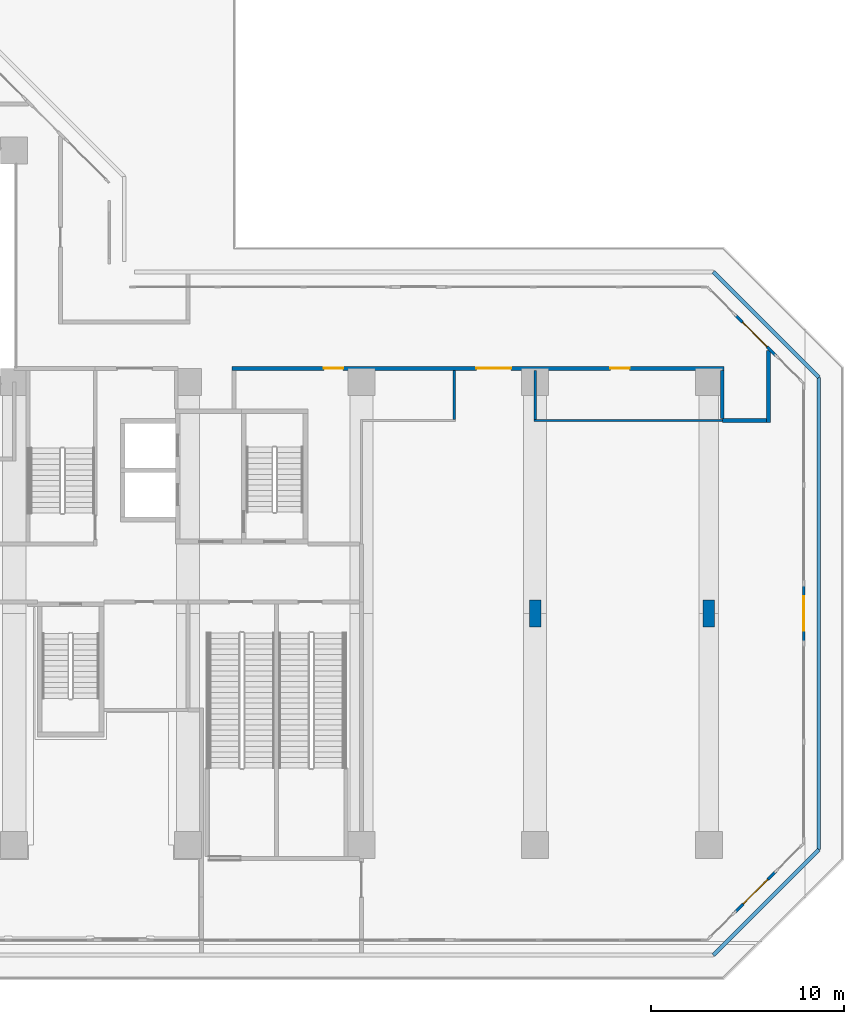
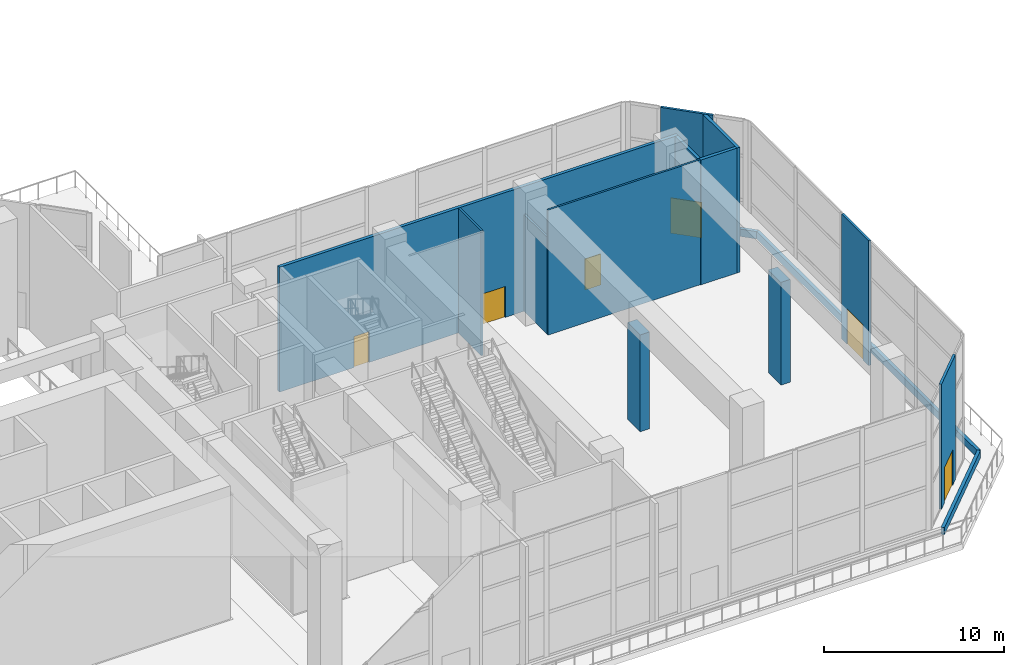
# One storey, part 17 of 28: 15 walls, 6 doors, 6 openings.
"""IFC4 building model written with IfcOpenShell, lengths in metres."""

from ifc_helpers import new_model, si_unit, direction, frame, frame_2d, origin, place, context, subcontext, project, spatial, rectangle, extrude, material, layer, layer_set, type_object, element, fill, save


model = new_model("IFC4")

# Units and contexts
model_context = context("Model", 3, precision=1e-05, world=origin(), true_north=direction((0.0, 1.0)))
body_context = subcontext(model_context, "Body", "Model", "MODEL_VIEW")
ifc_project = project(units=[si_unit("LENGTHUNIT", "METRE"), si_unit("AREAUNIT", "SQUARE_METRE"), si_unit("VOLUMEUNIT", "CUBIC_METRE"), si_unit("PLANEANGLEUNIT", "RADIAN"), si_unit("MASSUNIT", "GRAM", prefix="KILO")], contexts=[model_context])

# Site, building, storey
site_placement = place(None, origin())
site = spatial("IfcSite", under=ifc_project, at=site_placement, CompositionType="ELEMENT")
building_placement = place(site_placement, origin())
building = spatial("IfcBuilding", under=site, at=building_placement, Name="Chenar Terraces", CompositionType="ELEMENT")
storey_placement = place(building_placement, frame((0.0, 0.0, 26.39990234375)))
storey = spatial("IfcBuildingStorey", under=building, at=storey_placement, Name="L05", CompositionType="ELEMENT", Elevation=26.39990234375)

# Walls
ifc_material_1 = material(Name="Gypsum board on steel studs with mineral wool", Category="steel")
ifc_layer_1 = layer(ifc_material_1, 0.125)
ifc_layer_set_1 = layer_set([ifc_layer_1], Name="Gypsum board on steel studs with mineral wool")
wall_type_1 = type_object("IfcWallType", Name="Acoustic partition 125", PredefinedType="PARTITIONING", material=ifc_layer_set_1)
wall_1_placement = place(storey_placement, frame((58.800048828125, 22.06201171875, 0.0), z_axis=(0.0, 0.0, 1.0), x_axis=(0.0, 1.0, 0.0)))
element("IfcWall", 1, at=wall_1_placement, inside=storey, type_object=wall_type_1, Name="Partition L05-093", PredefinedType="PARTITIONING", context=body_context, shape_type="SweptSolid", body=[
    extrude(rectangle(XDim=2.5380859375, YDim=0.125, at=frame_2d((1.26904296875, 0.0))), origin(), (0.0, 0.0, 1.0), 8.4501953125),
])
wall_2_placement = place(storey_placement, frame((62.93798828125, 22.0, 0.0), z_axis=(0.0, 0.0, 1.0), x_axis=(1.0, 0.0, 0.0)))
element("IfcWall", 2, at=wall_2_placement, inside=storey, type_object=wall_type_1, Name="Partition L05-094", PredefinedType="PARTITIONING", context=body_context, shape_type="SweptSolid", body=[
    extrude(rectangle(XDim=9.761962890625, YDim=0.125, at=frame_2d((4.880859375, 0.0))), origin(), (0.0, 0.0, 1.0), 8.4501953125),
])
wall_3_placement = place(storey_placement, frame((63.0, 22.06201171875, 0.0), z_axis=(0.0, 0.0, 1.0), x_axis=(0.0, 1.0, 0.0)))
element("IfcWall", 3, at=wall_3_placement, inside=storey, type_object=wall_type_1, Name="Partition L05-095", PredefinedType="PARTITIONING", context=body_context, shape_type="SweptSolid", body=[
    extrude(rectangle(XDim=2.5380859375, YDim=0.125, at=frame_2d((1.26904296875, 0.0))), origin(), (0.0, 0.0, 1.0), 6.550048828125),
])

# Wall, openings, doors
ifc_material_2 = material(Name="Gypsum board on steel studs with fire boards", Category="steel")
ifc_layer_2 = layer(ifc_material_2, 0.199951171875)
ifc_layer_set_2 = layer_set([ifc_layer_2], Name="Gypsum board on steel studs with fire boards")
wall_type_2 = type_object("IfcWallType", Name="Corridor wall 200", PredefinedType="PARTITIONING", material=ifc_layer_set_2)
wall_4_placement = place(storey_placement, frame((47.300048828125, 24.699951171875, 0.0), z_axis=(0.0, 0.0, 1.0), x_axis=(1.0, 0.0, 0.0)))
wall_4 = element("IfcWall", 4, at=wall_4_placement, inside=storey, type_object=wall_type_2, Name="Partition L05-083", PredefinedType="PARTITIONING", context=body_context, shape_type="SweptSolid", body=[
    extrude(rectangle(XDim=25.5, YDim=0.199951171875, at=frame_2d((12.75, 0.0))), origin(), (0.0, 0.0, 1.0), 8.4501953125),
])
opening_1_placement = place(wall_4_placement, frame((4.75, 0.0, 0.0)))
opening_1 = element("IfcOpeningElement", 5, at=opening_1_placement, cuts=wall_4, Name="Opening DL05-4", PredefinedType="OPENING", context=body_context, shape_type="SweptSolid", body=[
    extrude(rectangle(XDim=1.0, YDim=2.10009765625, at=frame_2d((0.5, 1.050048828125))), frame((0.0, 0.10986328125, 0.0), z_axis=(0.0, -1.0, 0.0), x_axis=(1.0, 0.0, 0.0)), (0.0, 0.0, 1.0), 0.219970703125),
])
opening_2_placement = place(wall_4_placement, frame((12.64990234375, 0.0, 0.0)))
opening_2 = element("IfcOpeningElement", 6, at=opening_2_placement, cuts=wall_4, Name="Opening DL05-17", PredefinedType="OPENING", context=body_context, shape_type="SweptSolid", body=[
    extrude(rectangle(XDim=1.800048828125, YDim=2.10009765625, at=frame_2d((0.89990234375, 1.050048828125))), frame((0.0, 0.10986328125, 0.0), z_axis=(0.0, -1.0, 0.0), x_axis=(1.0, 0.0, 0.0)), (0.0, 0.0, 1.0), 0.219970703125),
])
opening_3_placement = place(wall_4_placement, frame((19.60009765625, 0.0, 0.0)))
opening_3 = element("IfcOpeningElement", 7, at=opening_3_placement, cuts=wall_4, Name="Opening DL05-22", PredefinedType="OPENING", context=body_context, shape_type="SweptSolid", body=[
    extrude(rectangle(XDim=1.0, YDim=2.10009765625, at=frame_2d((0.5, 1.050048828125))), frame((0.0, 0.10986328125, 0.0), z_axis=(0.0, -1.0, 0.0), x_axis=(1.0, 0.0, 0.0)), (0.0, 0.0, 1.0), 0.219970703125),
])
ifc_material_3 = material(Name="Steel-framed fire-resisting door leaf", Category="steel")
door_type_1 = type_object("IfcDoorType", Name="Fire door FD60 1000 x 2100", OperationType="SINGLE_SWING_LEFT", PredefinedType="DOOR", material=ifc_material_3)
door_1_placement = place(opening_1_placement, frame((1.0, 0.0, 0.0), z_axis=(0.0, 0.0, 1.0), x_axis=(-1.0, 0.0, 0.0)))
door_1 = element("IfcDoor", 8, at=door_1_placement, inside=storey, type_object=door_type_1, Name="Door DL05-4", OperationType="SINGLE_SWING_LEFT", OverallHeight=2.10009765625, OverallWidth=1.0, PredefinedType="DOOR", context=body_context, shape_type="SweptSolid", body=[
    extrude(rectangle(XDim=1.0, YDim=2.10009765625, at=frame_2d((0.5, 1.050048828125))), frame((0.0, 0.02490234375, 0.0), z_axis=(0.0, -1.0, 0.0), x_axis=(1.0, 0.0, 0.0)), (0.0, 0.0, 1.0), 0.050048828125),
])
fill(opening_1, door_1)
door_2_placement = place(opening_3_placement, frame((1.0, 0.0, 0.0), z_axis=(0.0, 0.0, 1.0), x_axis=(-1.0, 0.0, 0.0)))
door_2 = element("IfcDoor", 9, at=door_2_placement, inside=storey, type_object=door_type_1, Name="Door DL05-22", OperationType="SINGLE_SWING_LEFT", OverallHeight=2.10009765625, OverallWidth=1.0, PredefinedType="DOOR", context=body_context, shape_type="SweptSolid", body=[
    extrude(rectangle(XDim=1.0, YDim=2.10009765625, at=frame_2d((0.5, 1.050048828125))), frame((0.0, 0.02490234375, 0.0), z_axis=(0.0, -1.0, 0.0), x_axis=(1.0, 0.0, 0.0)), (0.0, 0.0, 1.0), 0.050048828125),
])
fill(opening_3, door_2)
ifc_material_4 = material(Name="Steel-framed fire-resisting door leaf", Category="steel")
door_type_2 = type_object("IfcDoorType", Name="Fire double door FD60 1800 x 2100", OperationType="DOUBLE_DOOR_SINGLE_SWING", PredefinedType="DOOR", material=ifc_material_4)
door_3_placement = place(opening_2_placement, origin())
door_3 = element("IfcDoor", 10, at=door_3_placement, inside=storey, type_object=door_type_2, Name="Door DL05-17", OperationType="DOUBLE_DOOR_SINGLE_SWING", OverallHeight=2.10009765625, OverallWidth=1.800048828125, PredefinedType="DOOR", context=body_context, shape_type="SweptSolid", body=[
    extrude(rectangle(XDim=1.800048828125, YDim=2.10009765625, at=frame_2d((0.89990234375, 1.050048828125))), frame((0.0, 0.02490234375, 0.0), z_axis=(0.0, -1.0, 0.0), x_axis=(1.0, 0.0, 0.0)), (0.0, 0.0, 1.0), 0.050048828125),
])
fill(opening_2, door_3)

# Walls
wall_5_placement = place(storey_placement, frame((72.699951171875, 22.0, 0.0), z_axis=(0.0, 0.0, 1.0), x_axis=(1.0, 0.0, 0.0)))
element("IfcWall", 11, at=wall_5_placement, inside=storey, type_object=wall_type_2, Name="Partition L05-096", PredefinedType="PARTITIONING", context=body_context, shape_type="SweptSolid", body=[
    extrude(rectangle(XDim=2.300048828125, YDim=0.199951171875, at=frame_2d((1.14990234375, 0.0))), origin(), (0.0, 0.0, 1.0), 8.4501953125),
])
wall_6_placement = place(storey_placement, frame((72.699951171875, 22.10009765625, 0.0), z_axis=(0.0, 0.0, 1.0), x_axis=(0.0, 1.0, 0.0)))
element("IfcWall", 12, at=wall_6_placement, inside=storey, type_object=wall_type_2, Name="Partition L05-097", PredefinedType="PARTITIONING", context=body_context, shape_type="SweptSolid", body=[
    extrude(rectangle(XDim=2.5, YDim=0.199951171875, at=frame_2d((1.25, 0.0))), origin(), (0.0, 0.0, 1.0), 8.4501953125),
])
wall_7_placement = place(storey_placement, frame((75.10009765625, 21.89990234375, 0.0), z_axis=(0.0, 0.0, 1.0), x_axis=(0.0, 1.0, 0.0)))
element("IfcWall", 13, at=wall_7_placement, inside=storey, type_object=wall_type_2, Name="Partition L05-098", PredefinedType="PARTITIONING", context=body_context, shape_type="SweptSolid", body=[
    extrude(rectangle(XDim=3.739013671875, YDim=0.199951171875, at=frame_2d((1.86962890625, 0.0))), origin(), (0.0, 0.0, 1.0), 8.4501953125),
])

# Wall, opening, door
ifc_material_5 = material(Name="Aluminium framed glazing", Category="aluminium")
ifc_layer_3 = layer(ifc_material_5, 0.14990234375)
ifc_layer_set_3 = layer_set([ifc_layer_3], Name="Aluminium framed glazing")
wall_type_3 = type_object("IfcWallType", Name="Podium glazed wall 150", PredefinedType="SOLIDWALL", material=ifc_layer_set_3)
wall_8_placement = place(storey_placement, frame((75.482421875, 25.361083984375, 0.0), z_axis=(0.0, 0.0, 1.0), x_axis=(-0.707106781187, 0.707106781187, 0.0)))
wall_8 = element("IfcWall", 14, at=wall_8_placement, inside=storey, type_object=wall_type_3, Name="Podium glazed wall", PredefinedType="SOLIDWALL", context=body_context, shape_type="SweptSolid", body=[
    extrude(rectangle(XDim=3.0, YDim=0.14990234375, at=frame_2d((1.5, 0.0))), origin(), (0.0, 0.0, 1.0), 8.4501953125),
])
opening_4_placement = place(wall_8_placement, frame((0.64990234375, 0.0, 0.0)))
opening_4 = element("IfcOpeningElement", 15, at=opening_4_placement, cuts=wall_8, Name="Opening DL05-T1", PredefinedType="OPENING", context=body_context, shape_type="SweptSolid", body=[
    extrude(rectangle(XDim=1.800048828125, YDim=2.39990234375, at=frame_2d((0.89990234375, 1.199951171875))), frame((0.0, 0.0849609375, 0.0), z_axis=(0.0, -1.0, 0.0), x_axis=(1.0, 0.0, 0.0)), (0.0, 0.0, 1.0), 0.169921875),
])
ifc_material_6 = material(Name="Low emissivity double glazing, aluminium frame", Category="aluminium")
door_type_3 = type_object("IfcDoorType", Name="Terrace glazed double door 1800 x 2400", OperationType="DOUBLE_DOOR_SINGLE_SWING", PredefinedType="DOOR", material=ifc_material_6)
door_4_placement = place(opening_4_placement, frame((1.800048828125, 0.0, 0.0), z_axis=(0.0, 0.0, 1.0), x_axis=(-1.0, 0.0, 0.0)))
door_4 = element("IfcDoor", 16, at=door_4_placement, inside=storey, type_object=door_type_3, Name="Terrace glazed door", OperationType="DOUBLE_DOOR_SINGLE_SWING", OverallHeight=2.39990234375, OverallWidth=1.800048828125, PredefinedType="DOOR", context=body_context, shape_type="SweptSolid", body=[
    extrude(rectangle(XDim=1.800048828125, YDim=2.39990234375, at=frame_2d((0.89990234375, 1.199951171875))), frame((0.0, 0.02490234375, 0.0), z_axis=(0.0, -1.0, 0.0), x_axis=(1.0, 0.0, 0.0)), (0.0, 0.0, 1.0), 0.050048828125),
])
fill(opening_4, door_4)

wall_9_placement = place(storey_placement, frame((73.361083984375, -3.482421875, 0.0), z_axis=(0.0, 0.0, 1.0), x_axis=(0.707106781187, 0.707106781187, 0.0)))
wall_9 = element("IfcWall", 17, at=wall_9_placement, inside=storey, type_object=wall_type_3, Name="Podium glazed wall", PredefinedType="SOLIDWALL", context=body_context, shape_type="SweptSolid", body=[
    extrude(rectangle(XDim=3.0, YDim=0.14990234375, at=frame_2d((1.5, 0.0))), origin(), (0.0, 0.0, 1.0), 8.4501953125),
])
opening_5_placement = place(wall_9_placement, frame((0.60009765625, 0.0, 0.0)))
opening_5 = element("IfcOpeningElement", 18, at=opening_5_placement, cuts=wall_9, Name="Opening DL05-T1", PredefinedType="OPENING", context=body_context, shape_type="SweptSolid", body=[
    extrude(rectangle(XDim=1.800048828125, YDim=2.39990234375, at=frame_2d((0.89990234375, 1.199951171875))), frame((0.0, 0.0849609375, 0.0), z_axis=(0.0, -1.0, 0.0), x_axis=(1.0, 0.0, 0.0)), (0.0, 0.0, 1.0), 0.169921875),
])
door_5_placement = place(opening_5_placement, frame((1.800048828125, 0.0, 0.0), z_axis=(0.0, 0.0, 1.0), x_axis=(-1.0, 0.0, 0.0)))
door_5 = element("IfcDoor", 19, at=door_5_placement, inside=storey, type_object=door_type_3, Name="Terrace glazed door", OperationType="DOUBLE_DOOR_SINGLE_SWING", OverallHeight=2.39990234375, OverallWidth=1.800048828125, PredefinedType="DOOR", context=body_context, shape_type="SweptSolid", body=[
    extrude(rectangle(XDim=1.800048828125, YDim=2.39990234375, at=frame_2d((0.89990234375, 1.199951171875))), frame((0.0, 0.02490234375, 0.0), z_axis=(0.0, -1.0, 0.0), x_axis=(1.0, 0.0, 0.0)), (0.0, 0.0, 1.0), 0.050048828125),
])
fill(opening_5, door_5)

wall_10_placement = place(storey_placement, frame((76.925048828125, 10.5, 0.0), z_axis=(0.0, 0.0, 1.0), x_axis=(0.0, 1.0, 0.0)))
wall_10 = element("IfcWall", 20, at=wall_10_placement, inside=storey, type_object=wall_type_3, Name="Podium glazed wall", PredefinedType="SOLIDWALL", context=body_context, shape_type="SweptSolid", body=[
    extrude(rectangle(XDim=3.0, YDim=0.14990234375, at=frame_2d((1.5, 0.0))), origin(), (0.0, 0.0, 1.0), 8.4501953125),
])
opening_6_placement = place(wall_10_placement, frame((0.60009765625, 0.0, 0.0)))
opening_6 = element("IfcOpeningElement", 21, at=opening_6_placement, cuts=wall_10, Name="Opening DL05-T1", PredefinedType="OPENING", context=body_context, shape_type="SweptSolid", body=[
    extrude(rectangle(XDim=1.800048828125, YDim=2.39990234375, at=frame_2d((0.89990234375, 1.199951171875))), frame((0.0, 0.0849609375, 0.0), z_axis=(0.0, -1.0, 0.0), x_axis=(1.0, 0.0, 0.0)), (0.0, 0.0, 1.0), 0.169921875),
])
door_6_placement = place(opening_6_placement, frame((1.800048828125, 0.0, 0.0), z_axis=(0.0, 0.0, 1.0), x_axis=(-1.0, 0.0, 0.0)))
door_6 = element("IfcDoor", 22, at=door_6_placement, inside=storey, type_object=door_type_3, Name="Terrace glazed door", OperationType="DOUBLE_DOOR_SINGLE_SWING", OverallHeight=2.39990234375, OverallWidth=1.800048828125, PredefinedType="DOOR", context=body_context, shape_type="SweptSolid", body=[
    extrude(rectangle(XDim=1.800048828125, YDim=2.39990234375, at=frame_2d((0.89990234375, 1.199951171875))), frame((0.0, 0.02490234375, 0.0), z_axis=(0.0, -1.0, 0.0), x_axis=(1.0, 0.0, 0.0)), (0.0, 0.0, 1.0), 0.050048828125),
])
fill(opening_6, door_6)

# Walls
ifc_material_7 = material(Name="Terracotta cladding on insulated backing", Category="masonry")
ifc_layer_4 = layer(ifc_material_7, 0.199951171875)
ifc_layer_set_4 = layer_set([ifc_layer_4], Name="Terracotta cladding on insulated backing")
wall_type_4 = type_object("IfcWallType", Name="Terrace parapet upstand 200", PredefinedType="PARAPET", material=ifc_layer_set_4)
wall_11_placement = place(storey_placement, frame((77.699951171875, 24.23974609375, 0.0), z_axis=(0.0, 0.0, 1.0), x_axis=(0.0, -1.0, 0.0)))
element("IfcWall", 23, at=wall_11_placement, inside=storey, type_object=wall_type_4, Name="Terrace parapet", PredefinedType="PARAPET", context=body_context, shape_type="SweptSolid", body=[
    extrude(rectangle(XDim=24.4794921875, YDim=0.199951171875, at=frame_2d((12.23974609375, 0.0))), origin(), (0.0, 0.0, 1.0), 0.5),
])
for number, where, z_axis, x_axis, name in (
    (24, (77.699951171875, -0.23974609375, 0.0), (0.0, 0.0, 1.0), (-0.707106781187, -0.707106781187, 0.0), "Terrace parapet"),
    (25, (72.23974609375, 29.699951171875, 0.0), (0.0, 0.0, 1.0), (0.707106781187, -0.707106781187, 0.0), "Terrace parapet"),
):
    element("IfcWall", number, at=place(storey_placement, frame(where, z_axis=z_axis, x_axis=x_axis)), inside=storey, type_object=wall_type_4, Name=name, PredefinedType="PARAPET", context=body_context, shape_type="SweptSolid", body=[
        extrude(rectangle(XDim=7.721923828125, YDim=0.199951171875, at=frame_2d((3.86083984375, 0.0))), origin(), (0.0, 0.0, 1.0), 0.5),
    ])
ifc_material_8 = material(Name="Reinforced concrete C60/75", Category="concrete")
ifc_layer_5 = layer(ifc_material_8, 0.60009765625)
ifc_layer_set_5 = layer_set([ifc_layer_5], Name="Reinforced concrete C60/75")
wall_type_5 = type_object("IfcWallType", Name="Transfer pier wall 600 concrete", PredefinedType="SOLIDWALL", material=ifc_layer_set_5)
wall_12_placement = place(storey_placement, frame((63.0, 11.300048828125, 0.0), z_axis=(0.0, 0.0, 1.0), x_axis=(0.0, 1.0, 0.0)))
element("IfcWall", 26, at=wall_12_placement, inside=storey, type_object=wall_type_5, Name="Transfer pier wall L05-P04", PredefinedType="SOLIDWALL", context=body_context, shape_type="SweptSolid", body=[
    extrude(rectangle(XDim=1.39990234375, YDim=0.60009765625, at=frame_2d((0.699951171875, 0.0))), origin(), (0.0, 0.0, 1.0), 6.550048828125),
])
wall_13_placement = place(storey_placement, frame((72.0, 11.300048828125, 0.0), z_axis=(0.0, 0.0, 1.0), x_axis=(0.0, 1.0, 0.0)))
element("IfcWall", 27, at=wall_13_placement, inside=storey, type_object=wall_type_5, Name="Transfer pier wall L05-P05", PredefinedType="SOLIDWALL", context=body_context, shape_type="SweptSolid", body=[
    extrude(rectangle(XDim=1.39990234375, YDim=0.60009765625, at=frame_2d((0.699951171875, 0.0))), origin(), (0.0, 0.0, 1.0), 6.9501953125),
])

save(model, "model.ifc")
